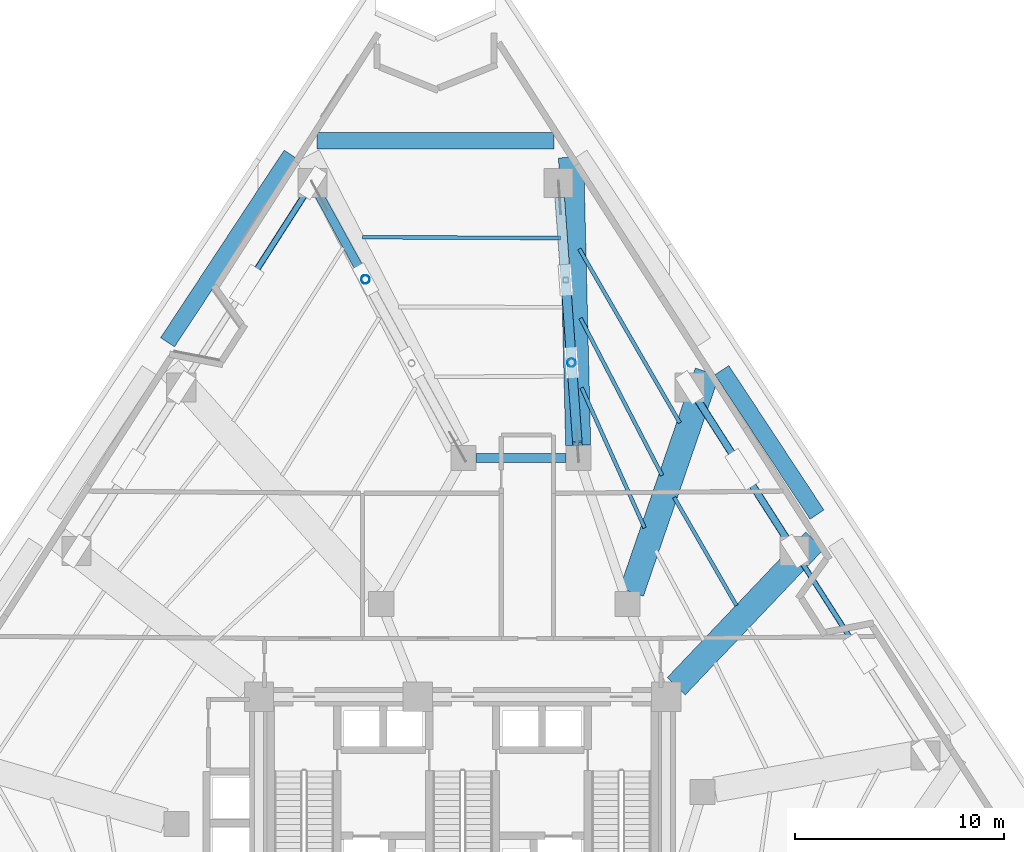
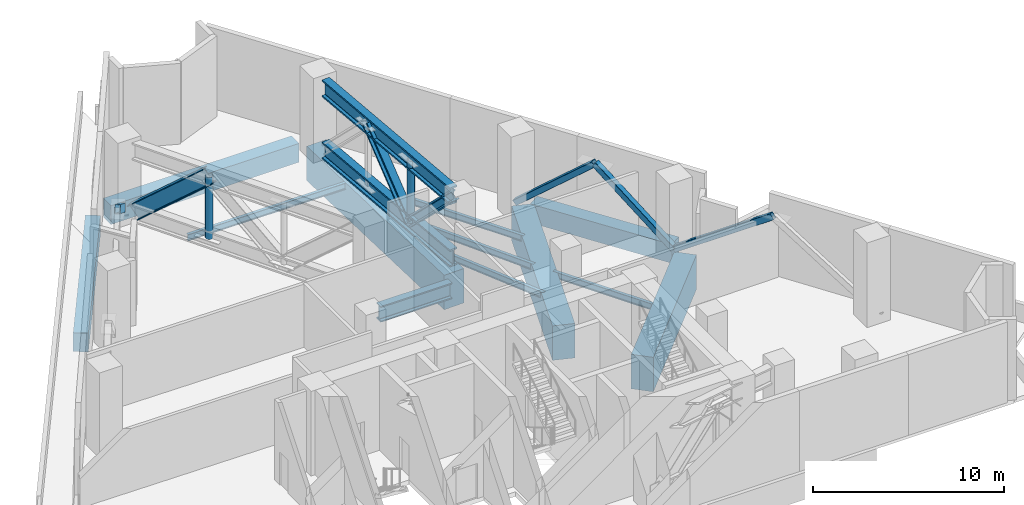
# One storey, part 5 of 12: 14 beams, 9 members.
"""IFC4 building model written with IfcOpenShell, lengths in metres."""

import ifcopenshell
import ifcopenshell.guid

model = None  # the IFC model being written
_history = None  # IfcOwnerHistory: only IFC2X3 demands one
_inside = {}  # id of a spatial element -> (the spatial element, [elements in it])
_under = {}  # id of a project, library or spatial element -> (it, [spatial elements below it])
_declared = {}  # id of a project -> (the project, [libraries it declares])
_typed = {}  # id of a type object -> (the type object, [elements of that type])
_made_of = {}  # id of a material, layer set ... -> (it, [elements and type objects made of it])


def new_model(schema):
    """Start an empty IFC model of exactly this schema.

    Asked for "IFC4X3", IfcOpenShell would pick the latest addendum, in which some entities
    have other attributes; the version numbers below select the first issue.
    IFC2X3 requires an IfcOwnerHistory on every rooted entity: one is made here for all.
    """
    global model, _history
    if schema == "IFC4X3":
        model = ifcopenshell.file(schema_version=(4, 3, 0, 0))
    else:
        model = ifcopenshell.file(schema=schema)
    _inside.clear()
    _under.clear()
    _declared.clear()
    _typed.clear()
    _made_of.clear()
    _history = None
    if model.schema == "IFC2X3":
        org = make("IfcOrganization", Name="unknown")
        user = make(
            "IfcPersonAndOrganization",
            ThePerson=make("IfcPerson", FamilyName="unknown"),
            TheOrganization=org,
        )
        app = make(
            "IfcApplication",
            ApplicationDeveloper=org,
            Version="unknown",
            ApplicationFullName="unknown",
            ApplicationIdentifier="unknown",
        )
        _history = make(
            "IfcOwnerHistory",
            OwningUser=user,
            OwningApplication=app,
            ChangeAction="ADDED",
            CreationDate=0,
        )
    return model


def make(cls, **values):
    """One entity of the class cls with the attributes given. An attribute that is None is left unset."""
    return model.create_entity(
        cls, **{name: value for name, value in values.items() if value is not None}
    )


def rooted(cls, **values):
    """An entity with a GlobalId (a new one), such as an element, a storey or a relation."""
    return make(cls, GlobalId=ifcopenshell.guid.new(), OwnerHistory=_history, **values)


def si_unit(unit_type, name, prefix=None):
    """IfcSIUnit, for example si_unit("LENGTHUNIT", "METRE", prefix="MILLI")."""
    return make("IfcSIUnit", UnitType=unit_type, Prefix=prefix, Name=name)


def assignment(units):
    """IfcUnitAssignment: the units of a project."""
    return None if units is None else make("IfcUnitAssignment", Units=units)


def point(xyz):
    """IfcCartesianPoint."""
    return None if xyz is None else make("IfcCartesianPoint", Coordinates=xyz)


def direction(xyz):
    """IfcDirection."""
    return None if xyz is None else make("IfcDirection", DirectionRatios=xyz)


def frame(location, z_axis=None, x_axis=None):
    """IfcAxis2Placement3D, a coordinate frame: its origin and axes. An axis left out is left unset."""
    return make(
        "IfcAxis2Placement3D",
        Location=point(location),
        Axis=direction(z_axis),
        RefDirection=direction(x_axis),
    )


def frame_2d(location, x_axis=None):
    """IfcAxis2Placement2D, a coordinate frame in the plane: its origin and x axis."""
    return make(
        "IfcAxis2Placement2D", Location=point(location), RefDirection=direction(x_axis)
    )


def origin():
    """The frame at (0, 0, 0) with its axes left unset."""
    return frame((0.0, 0.0, 0.0))


def origin_2d():
    """The frame at (0, 0) in the plane with its x axis left unset."""
    return frame_2d((0.0, 0.0))


def place(relative_to, where):
    """IfcLocalPlacement: puts the frame where relative to a parent placement (None: the world)."""
    return make(
        "IfcLocalPlacement", PlacementRelTo=relative_to, RelativePlacement=where
    )


def context(
    kind, dimensions, precision=None, world=None, true_north=None, identifier=None
):
    """IfcGeometricRepresentationContext, for example the 3D "Model" context."""
    return make(
        "IfcGeometricRepresentationContext",
        ContextIdentifier=identifier,
        ContextType=kind,
        CoordinateSpaceDimension=dimensions,
        Precision=precision,
        WorldCoordinateSystem=world,
        TrueNorth=true_north,
    )


def subcontext(parent, identifier, kind, view, scale=None):
    """IfcGeometricRepresentationSubContext, for example "Body" below "Model"."""
    return make(
        "IfcGeometricRepresentationSubContext",
        ContextIdentifier=identifier,
        ContextType=kind,
        ParentContext=parent,
        TargetScale=scale,
        TargetView=view,
    )


def project(units=None, contexts=None):
    """IfcProject with its units and contexts."""
    return rooted(
        "IfcProject",
        Name="project",
        RepresentationContexts=contexts,
        UnitsInContext=assignment(units),
    )


def spatial(cls, under=None, at=None, **own):
    """A site, building, storey or space (cls), placed at a placement, below another one or the project."""
    s = rooted(cls, ObjectPlacement=at, **own)
    if under is not None:
        _under.setdefault(under.id(), (under, []))[1].append(s)
    return s


def profile(cls, at=None, kind="AREA", **sizes):
    """A parametric profile (cls). Its sizes go by their IFC names, for example OverallWidth=200.0."""
    return make(cls, ProfileType=kind, Position=at, **sizes)


def rectangle(**sizes):
    """IfcRectangleProfileDef."""
    return profile("IfcRectangleProfileDef", **sizes)


def hollow_rectangle(**sizes):
    """IfcRectangleHollowProfileDef."""
    return profile("IfcRectangleHollowProfileDef", **sizes)


def hollow_circle(**sizes):
    """IfcCircleHollowProfileDef."""
    return profile("IfcCircleHollowProfileDef", **sizes)


def i_section(**sizes):
    """IfcIShapeProfileDef."""
    return profile("IfcIShapeProfileDef", **sizes)


def extrude(swept, where, along, depth):
    """IfcExtrudedAreaSolid: the profile swept, set in the frame where, extruded along a direction by depth."""
    return make(
        "IfcExtrudedAreaSolid",
        SweptArea=swept,
        Position=where,
        ExtrudedDirection=direction(along),
        Depth=depth,
    )


def shape(context_of_items, identifier, shape_type, items):
    """IfcShapeRepresentation: the items that make up one representation, for example the "Body"."""
    return make(
        "IfcShapeRepresentation",
        ContextOfItems=context_of_items,
        RepresentationIdentifier=identifier,
        RepresentationType=shape_type,
        Items=items,
    )


def material(Name=None, Category=None):
    """IfcMaterial."""
    return make("IfcMaterial", Name=Name, Category=Category)


def material_profile(
    of_material, cross_section, Name=None, Category=None, Priority=None
):
    """IfcMaterialProfile: a cross section and its material."""
    return make(
        "IfcMaterialProfile",
        Name=Name,
        Material=of_material,
        Profile=cross_section,
        Priority=Priority,
        Category=Category,
    )


def profile_set(profiles, Name=None, composite=None):
    """IfcMaterialProfileSet."""
    return make(
        "IfcMaterialProfileSet",
        Name=Name,
        MaterialProfiles=profiles,
        CompositeProfile=composite,
    )


def made_of(thing, what):
    """Note that an element or type object is made of a material, layer set ...; save() writes the relation."""
    if what is not None:
        _made_of.setdefault(what.id(), (what, []))[1].append(thing)
    return thing


def type_object(cls, material=None, **own):
    """A type object (cls), such as IfcWallType, which elements share."""
    return made_of(rooted(cls, **own), material)


def element(
    cls,
    number,
    at=None,
    inside=None,
    cuts=None,
    type_object=None,
    material=None,
    context=None,
    identifier="Body",
    shape_type=None,
    held_by="IfcProductDefinitionShape",
    body=None,
    shapes=None,
    **own,
):
    """One element of the class cls, such as IfcWall. Its Tag is "e" and its number.

    at: its placement. inside: the storey or other place that contains it. cuts: it is an
    opening in that element (IfcRelVoidsElement). A single representation is given by context,
    identifier, shape_type and body (its items); several are given by shapes. held_by: the class
    of the entity that holds the representations. save() writes the other relations.
    """
    e = rooted(cls, Tag="e%d" % number, ObjectPlacement=at, **own)
    if body is not None:
        shapes = [shape(context, identifier, shape_type, body)]
    if shapes is not None:
        e.Representation = make(held_by, Representations=shapes)
    if inside is not None:
        _inside.setdefault(inside.id(), (inside, []))[1].append(e)
    if cuts is not None:
        rooted(
            "IfcRelVoidsElement", RelatingBuildingElement=cuts, RelatedOpeningElement=e
        )
    if type_object is not None:
        _typed.setdefault(type_object.id(), (type_object, []))[1].append(e)
    return made_of(e, material)


def aggregate(whole, parts):
    """IfcRelAggregates: a whole, such as a stair, and the parts it consists of."""
    return rooted("IfcRelAggregates", RelatingObject=whole, RelatedObjects=parts)


def save(model, path):
    """Write the relations noted so far, then the file.

    IfcRelAggregates (storeys below a building ...), IfcRelContainedInSpatialStructure (elements
    in a storey), IfcRelDefinesByType, IfcRelAssociatesMaterial and IfcRelDeclares: one each for
    every whole, place, type object, material and project.
    """
    for whole, parts in _under.values():
        aggregate(whole, parts)
    for where, things in _inside.values():
        rooted(
            "IfcRelContainedInSpatialStructure",
            RelatedElements=things,
            RelatingStructure=where,
        )
    for kind, things in _typed.values():
        rooted("IfcRelDefinesByType", RelatedObjects=things, RelatingType=kind)
    for what, things in _made_of.values():
        rooted("IfcRelAssociatesMaterial", RelatedObjects=things, RelatingMaterial=what)
    for by, libraries in _declared.values():
        rooted("IfcRelDeclares", RelatingContext=by, RelatedDefinitions=libraries)
    model.write(path)


model = new_model("IFC4")

# Units and contexts
model_context = context("Model", 3, precision=1e-05, world=origin(), true_north=direction((0.0, 1.0)))
body_context = subcontext(model_context, "Body", "Model", "MODEL_VIEW")
ifc_project = project(units=[si_unit("LENGTHUNIT", "METRE"), si_unit("AREAUNIT", "SQUARE_METRE"), si_unit("VOLUMEUNIT", "CUBIC_METRE"), si_unit("PLANEANGLEUNIT", "RADIAN"), si_unit("MASSUNIT", "GRAM", prefix="KILO")], contexts=[model_context])

# Site, building, storey
site_placement = place(None, origin())
site = spatial("IfcSite", under=ifc_project, at=site_placement, CompositionType="ELEMENT")
building_placement = place(site_placement, origin())
building = spatial("IfcBuilding", under=site, at=building_placement, Name="Almagre Mirador Tower", CompositionType="ELEMENT")
storey_placement = place(building_placement, frame((0.0, 0.0, 26.39990234375)))
storey = spatial("IfcBuildingStorey", under=building, at=storey_placement, Name="L05", CompositionType="ELEMENT", Elevation=26.39990234375)

# Beams
ifc_material_1 = material(Name="Steel ASTM A992 Grade 50", Category="steel")
ifc_material_profile_1 = material_profile(ifc_material_1, i_section(OverallWidth=0.178955078125, OverallDepth=0.408935546875, WebThickness=0.0087890625, FlangeThickness=0.014404296875, FilletRadius=0.013916015625, at=origin_2d()), Name="W16X45")
ifc_profile_set_1 = profile_set([ifc_material_profile_1], Name="Steel ASTM A992 Grade 50")
beam_type_1 = type_object("IfcBeamType", Name="BM-JST-W16X45", PredefinedType="JOIST", material=ifc_profile_set_1)
beam_1_placement = place(storey_placement, frame((50.41748046875, 19.125244140625, -0.50439453125), z_axis=(-0.498936574753, 0.866638502707, 0.0), x_axis=(-0.866638502707, -0.498936574753, 0.0)))
element("IfcBeam", 1, at=beam_1_placement, inside=storey, type_object=beam_type_1, Name="L05 secondary floor joist PC06-PC07.2", PredefinedType="JOIST", context=body_context, shape_type="SweptSolid", body=[
    extrude(i_section(OverallWidth=0.178955078125, OverallDepth=0.408935546875, WebThickness=0.0087890625, FlangeThickness=0.014404296875, FilletRadius=0.013916015625, at=origin_2d()), origin(), (0.0, 0.0, 1.0), 5.98095703125),
])
beam_2_placement = place(storey_placement, frame((47.70361328125, 27.878662109375, -0.50439453125), z_axis=(-0.500181605907, 0.865920528174, 0.0), x_axis=(-0.865920528174, -0.500181605907, 0.0)))
element("IfcBeam", 2, at=beam_2_placement, inside=storey, type_object=beam_type_1, Name="L05 secondary floor joist PC07-PC08.1", PredefinedType="JOIST", context=body_context, shape_type="SweptSolid", body=[
    extrude(i_section(OverallWidth=0.178955078125, OverallDepth=0.408935546875, WebThickness=0.0087890625, FlangeThickness=0.014404296875, FilletRadius=0.013916015625, at=origin_2d()), origin(), (0.0, 0.0, 1.0), 9.619140625),
])
beam_3_placement = place(storey_placement, frame((46.857421875, 25.361083984375, -0.50439453125), z_axis=(-0.460878510835, 0.887463237689, 0.0), x_axis=(-0.887463237689, -0.460878510835, 0.0)))
element("IfcBeam", 3, at=beam_3_placement, inside=storey, type_object=beam_type_1, Name="L05 secondary floor joist PC07-PC08.2", PredefinedType="JOIST", context=body_context, shape_type="SweptSolid", body=[
    extrude(i_section(OverallWidth=0.178955078125, OverallDepth=0.408935546875, WebThickness=0.0087890625, FlangeThickness=0.014404296875, FilletRadius=0.013916015625, at=origin_2d()), origin(), (0.0, 0.0, 1.0), 8.478759765625),
])
beam_4_placement = place(storey_placement, frame((46.0185546875, 22.84521484375, -0.50439453125), z_axis=(-0.409897280394, 0.912131689794, 0.0), x_axis=(-0.912131689794, -0.409897280394, 0.0)))
element("IfcBeam", 4, at=beam_4_placement, inside=storey, type_object=beam_type_1, Name="L05 secondary floor joist PC07-PC08.3", PredefinedType="JOIST", context=body_context, shape_type="SweptSolid", body=[
    extrude(i_section(OverallWidth=0.178955078125, OverallDepth=0.408935546875, WebThickness=0.0087890625, FlangeThickness=0.014404296875, FilletRadius=0.013916015625, at=origin_2d()), origin(), (0.0, 0.0, 1.0), 7.363525390625),
])
beam_5_placement = place(storey_placement, frame((41.9921875, 36.72998046875, -0.50439453125), z_axis=(-0.999990993697, 0.004244116417, 0.0), x_axis=(-0.004244116417, -0.999990993697, 0.0)))
element("IfcBeam", 5, at=beam_5_placement, inside=storey, type_object=beam_type_1, Name="L05 secondary floor joist PC08-PC09.1", PredefinedType="JOIST", context=body_context, shape_type="SweptSolid", body=[
    extrude(i_section(OverallWidth=0.178955078125, OverallDepth=0.408935546875, WebThickness=0.0087890625, FlangeThickness=0.014404296875, FilletRadius=0.013916015625, at=origin_2d()), origin(), (0.0, 0.0, 1.0), 9.491455078125),
])
ifc_material_2 = material(Name="Precast concrete C50/60", Category="concrete")
ifc_material_profile_2 = material_profile(ifc_material_2, rectangle(XDim=0.800048828125, YDim=1.199951171875, at=origin_2d()), Name="RC800X1200")
ifc_profile_set_2 = profile_set([ifc_material_profile_2], Name="Precast concrete C50/60")
beam_type_2 = type_object("IfcBeamType", Name="BM-SPN-RC800X1200", PredefinedType="SPANDREL", material=ifc_profile_set_2)
beam_6_placement = place(storey_placement, frame((54.27783203125, 23.47998046875, -0.89990234375), z_axis=(-0.55020506323, 0.835029573366, 0.0), x_axis=(-0.835029573366, -0.55020506323, 0.0)))
element("IfcBeam", 6, at=beam_6_placement, inside=storey, type_object=beam_type_2, Name="L05 perimeter spandrel beam PC06-PC07", PredefinedType="SPANDREL", context=body_context, shape_type="SweptSolid", body=[
    extrude(rectangle(XDim=0.800048828125, YDim=1.199951171875, at=origin_2d()), origin(), (0.0, 0.0, 1.0), 8.287109375),
])
beam_7_placement = place(storey_placement, frame((41.677978515625, 41.387939453125, -0.89990234375), z_axis=(-1.0, 0.0, 0.0), x_axis=(0.0, -1.0, 0.0)))
element("IfcBeam", 7, at=beam_7_placement, inside=storey, type_object=beam_type_2, Name="L05 perimeter spandrel beam PC08-PC09", PredefinedType="SPANDREL", context=body_context, shape_type="SweptSolid", body=[
    extrude(rectangle(XDim=0.800048828125, YDim=1.199951171875, at=origin_2d()), origin(), (0.0, 0.0, 1.0), 11.35595703125),
])
beam_8_placement = place(storey_placement, frame((29.081787109375, 40.719970703125, -0.89990234375), z_axis=(-0.550214843465, -0.835023129039, 0.0), x_axis=(0.835023129039, -0.550214843465, 0.0)))
element("IfcBeam", 8, at=beam_8_placement, inside=storey, type_object=beam_type_2, Name="L05 perimeter spandrel beam PC09-PC10", PredefinedType="SPANDREL", context=body_context, shape_type="SweptSolid", body=[
    extrude(rectangle(XDim=0.800048828125, YDim=1.199951171875, at=origin_2d()), origin(), (0.0, 0.0, 1.0), 10.7587890625),
])
ifc_material_3 = material(Name="Steel ASTM A992 Grade 50", Category="steel")
ifc_material_profile_3 = material_profile(ifc_material_3, i_section(OverallWidth=0.43701171875, OverallDepth=1.010986328125, WebThickness=0.041015625, FlangeThickness=0.073974609375, FilletRadius=0.028076171875, at=origin_2d()), Name="W36X529")
ifc_profile_set_3 = profile_set([ifc_material_profile_3], Name="Steel ASTM A992 Grade 50")
beam_type_3 = type_object("IfcBeamType", Name="BM-STL-W36X529", PredefinedType="BEAM", material=ifc_profile_set_3)
beam_9_placement = place(storey_placement, frame((37.949951171875, 26.199951171875, -0.805419921875), z_axis=(1.0, 0.0, 0.0), x_axis=(0.0, 1.0, 0.0)))
element("IfcBeam", 9, at=beam_9_placement, inside=storey, type_object=beam_type_3, Name="L05 core tie girder MC7-MC6", PredefinedType="BEAM", context=body_context, shape_type="SweptSolid", body=[
    extrude(i_section(OverallWidth=0.43701171875, OverallDepth=1.010986328125, WebThickness=0.041015625, FlangeThickness=0.073974609375, FilletRadius=0.028076171875, at=origin_2d()), origin(), (0.0, 0.0, 1.0), 4.300048828125),
])
ifc_material_4 = material(Name="Steel ASTM A913 Grade 65", Category="steel")
ifc_material_profile_4 = material_profile(ifc_material_4, i_section(OverallWidth=0.45703125, OverallDepth=1.0869140625, WebThickness=0.060546875, FlangeThickness=0.093994140625, FilletRadius=0.028076171875, at=origin_2d()), Name="W36X800")
ifc_profile_set_4 = profile_set([ifc_material_profile_4], Name="Steel ASTM A913 Grade 65")
beam_type_4 = type_object("IfcBeamType", Name="BM-STL-W36X800", PredefinedType="BEAM", material=ifc_profile_set_4)
for number, where, z_axis, x_axis, name in (
    (10, (41.948486328125, 38.6748046875, 0.650146484375), (0.072089216544, -0.997398187715, 0.0), (0.997398187715, 0.072089216544, 0.0), "L05 outrigger truss 3 bottom chord"),
    (11, (41.948486328125, 38.6748046875, 4.606689453125), (0.072089216544, -0.997398187715, 0.0), (0.997398187715, 0.072089216544, 0.0), "L05 outrigger truss 3 top chord"),
):
    element("IfcBeam", number, at=place(storey_placement, frame(where, z_axis=z_axis, x_axis=x_axis)), inside=storey, type_object=beam_type_4, Name=name, PredefinedType="BEAM", context=body_context, shape_type="SweptSolid", body=[
        extrude(i_section(OverallWidth=0.45703125, OverallDepth=1.0869140625, WebThickness=0.060546875, FlangeThickness=0.093994140625, FilletRadius=0.028076171875, at=origin_2d()), origin(), (0.0, 0.0, 1.0), 11.907470703125),
    ])
ifc_material_5 = material(Name="Concrete C60/75", Category="concrete")
ifc_material_profile_5 = material_profile(ifc_material_5, rectangle(XDim=1.199951171875, YDim=2.199951171875, at=origin_2d()), Name="RC1200X2200")
ifc_profile_set_5 = profile_set([ifc_material_profile_5], Name="Concrete C60/75")
beam_type_5 = type_object("IfcBeamType", Name="BM-XFER-RC1200X2200", PredefinedType="BEAM", material=ifc_profile_set_5)
beam_10_placement = place(storey_placement, frame((54.166748046875, 22.232421875, -1.39990234375), z_axis=(-0.689169924888, -0.724599761683, 0.0), x_axis=(0.724599761683, -0.689169924888, 0.0)))
element("IfcBeam", 12, at=beam_10_placement, inside=storey, type_object=beam_type_5, Name="L05 radial transfer girder PC06-CC6", PredefinedType="BEAM", context=body_context, shape_type="SweptSolid", body=[
    extrude(rectangle(XDim=1.199951171875, YDim=2.199951171875, at=origin_2d()), origin(), (0.0, 0.0, 1.0), 9.62646484375),
])
beam_11_placement = place(storey_placement, frame((49.01806640625, 30.311279296875, -1.39990234375), z_axis=(-0.324964711331, -0.945726142384, 0.0), x_axis=(0.945726142384, -0.324964711331, 0.0)))
element("IfcBeam", 13, at=beam_11_placement, inside=storey, type_object=beam_type_5, Name="L05 radial transfer girder PC07-MC5", PredefinedType="BEAM", context=body_context, shape_type="SweptSolid", body=[
    extrude(rectangle(XDim=1.199951171875, YDim=2.199951171875, at=origin_2d()), origin(), (0.0, 0.0, 1.0), 11.14892578125),
])
beam_12_placement = place(storey_placement, frame((42.49755859375, 40.588134765625, -1.39990234375), z_axis=(0.024480505786, -0.99970030751, 0.0), x_axis=(0.99970030751, 0.024480505786, 0.0)))
element("IfcBeam", 14, at=beam_12_placement, inside=storey, type_object=beam_type_5, Name="L05 radial transfer girder PC08-MC6", PredefinedType="BEAM", context=body_context, shape_type="SweptSolid", body=[
    extrude(rectangle(XDim=1.199951171875, YDim=2.199951171875, at=origin_2d()), origin(), (0.0, 0.0, 1.0), 13.79248046875),
])

# Members
ifc_material_6 = material(Name="Steel ASTM A500 Grade C", Category="steel")
ifc_material_profile_6 = material_profile(ifc_material_6, hollow_rectangle(XDim=0.35009765625, YDim=0.35009765625, WallThickness=0.012451171875, InnerFilletRadius=0.012451171875, OuterFilletRadius=0.02490234375, at=origin_2d()), Name="HSS350X350X12.5")
ifc_profile_set_6 = profile_set([ifc_material_profile_6], Name="Steel ASTM A500 Grade C")
member_type_1 = type_object("IfcMemberType", Name="MBR-BRC-HSS350", PredefinedType="BRACE", material=ifc_profile_set_6)
for number, where, z_axis, x_axis, name in (
    (15, (53.201904296875, 21.73291015625, 0.650146484375), (-0.41112437121, 0.641600158278, 0.647553849726), (-0.841973199147, -0.539519352682, 0.0), "L05 perimeter belt truss brace PC06-apex"),
    (16, (48.177978515625, 29.572998046875, 0.650146484375), (0.411134911218, -0.641576648315, 0.647570451083), (0.841957934854, 0.539543173375, 0.0), "L05 perimeter belt truss brace PC07-apex"),
):
    element("IfcMember", number, at=place(storey_placement, frame(where, z_axis=z_axis, x_axis=x_axis)), inside=storey, type_object=member_type_1, Name=name, PredefinedType="BRACE", context=body_context, shape_type="SweptSolid", body=[
        extrude(hollow_rectangle(XDim=0.35009765625, YDim=0.35009765625, WallThickness=0.012451171875, InnerFilletRadius=0.012451171875, OuterFilletRadius=0.02490234375, at=origin_2d()), origin(), (0.0, 0.0, 1.0), 6.10986328125),
    ])
ifc_material_7 = material(Name="Steel ASTM A500 Grade C", Category="steel")
ifc_material_profile_7 = material_profile(ifc_material_7, hollow_rectangle(XDim=0.25, YDim=0.39990234375, WallThickness=0.012451171875, InnerFilletRadius=0.012451171875, OuterFilletRadius=0.02490234375, at=origin_2d()), Name="HSS400X250X12.5")
ifc_profile_set_7 = profile_set([ifc_material_profile_7], Name="Steel ASTM A500 Grade C")
member_type_2 = type_object("IfcMemberType", Name="MBR-BRC-HSS400R", PredefinedType="BRACE", material=ifc_profile_set_7)
member_1_placement = place(storey_placement, frame((53.201904296875, 21.73291015625, 0.650146484375), z_axis=(0.446212638225, -0.696274891088, 0.562223761085), x_axis=(0.841943641884, 0.539565476926, 0.0)))
element("IfcMember", 17, at=member_1_placement, inside=storey, type_object=member_type_2, Name="L05 perimeter belt truss brace PC06-apex", PredefinedType="BRACE", context=body_context, shape_type="SweptSolid", body=[
    extrude(hollow_rectangle(XDim=0.25, YDim=0.39990234375, WallThickness=0.012451171875, InnerFilletRadius=0.012451171875, OuterFilletRadius=0.02490234375, at=origin_2d()), origin(), (0.0, 0.0, 1.0), 7.037353515625),
])
ifc_material_8 = material(Name="Steel ASTM A500 Grade C", Category="steel")
ifc_material_profile_8 = material_profile(ifc_material_8, hollow_rectangle(XDim=0.300048828125, YDim=0.5, WallThickness=0.01611328125, InnerFilletRadius=0.01611328125, OuterFilletRadius=0.031982421875, at=origin_2d()), Name="HSS500X300X16")
ifc_profile_set_8 = profile_set([ifc_material_profile_8], Name="Steel ASTM A500 Grade C")
member_type_3 = type_object("IfcMemberType", Name="MBR-BRC-HSS500", PredefinedType="BRACE", material=ifc_profile_set_8)
member_2_placement = place(storey_placement, frame((30.10205078125, 39.373046875, 0.650146484375), z_axis=(-0.446201859906, -0.696292763969, 0.562210180503), x_axis=(0.841955854282, -0.539546420097, 0.0)))
element("IfcMember", 18, at=member_2_placement, inside=storey, type_object=member_type_3, Name="L05 perimeter belt truss brace PC09-apex", PredefinedType="BRACE", context=body_context, shape_type="SweptSolid", body=[
    extrude(hollow_rectangle(XDim=0.300048828125, YDim=0.5, WallThickness=0.01611328125, InnerFilletRadius=0.01611328125, OuterFilletRadius=0.031982421875, at=origin_2d()), origin(), (0.0, 0.0, 1.0), 7.03759765625),
])
ifc_material_9 = material(Name="Steel ASTM A913 Grade 65", Category="steel")
ifc_material_profile_9 = material_profile(ifc_material_9, i_section(OverallWidth=0.4541015625, OverallDepth=0.570068359375, WebThickness=0.077880859375, FlangeThickness=0.093994140625, FilletRadius=0.02001953125, at=origin_2d()), Name="W14X730")
ifc_profile_set_9 = profile_set([ifc_material_profile_9], Name="Steel ASTM A913 Grade 65")
member_type_4 = type_object("IfcMemberType", Name="MBR-BRC-W14X730", PredefinedType="BRACE", material=ifc_profile_set_9)
member_3_placement = place(storey_placement, frame((42.234619140625, 34.716064453125, 4.606689453125), z_axis=(0.051054736075, -0.706402389239, -0.705966768624), x_axis=(0.997398400807, 0.072086268238, 0.0)))
element("IfcMember", 19, at=member_3_placement, inside=storey, type_object=member_type_4, Name="L05 outrigger truss 3 diagonal 2", PredefinedType="BRACE", context=body_context, shape_type="SweptSolid", body=[
    extrude(i_section(OverallWidth=0.4541015625, OverallDepth=0.570068359375, WebThickness=0.077880859375, FlangeThickness=0.093994140625, FilletRadius=0.02001953125, at=origin_2d()), origin(), (0.0, 0.0, 1.0), 5.6044921875),
])
member_4_placement = place(storey_placement, frame((42.520751953125, 30.757080078125, 0.650146484375), z_axis=(0.051056307173, -0.706380563828, 0.70598849321), x_axis=(0.99739808116, 0.072090690788, 0.0)))
element("IfcMember", 20, at=member_4_placement, inside=storey, type_object=member_type_4, Name="L05 outrigger truss 3 diagonal 3", PredefinedType="BRACE", context=body_context, shape_type="SweptSolid", body=[
    extrude(i_section(OverallWidth=0.4541015625, OverallDepth=0.570068359375, WebThickness=0.077880859375, FlangeThickness=0.093994140625, FilletRadius=0.02001953125, at=origin_2d()), origin(), (0.0, 0.0, 1.0), 5.604248046875),
])
ifc_material_10 = material(Name="Steel ASTM A913 Grade 65", Category="steel")
ifc_material_profile_10 = material_profile(ifc_material_10, i_section(OverallWidth=0.423095703125, OverallDepth=0.947998046875, WebThickness=0.02392578125, FlangeThickness=0.042724609375, FilletRadius=0.028076171875, at=origin_2d()), Name="W36X302")
ifc_profile_set_10 = profile_set([ifc_material_profile_10], Name="Steel ASTM A913 Grade 65")
member_type_5 = type_object("IfcMemberType", Name="MBR-BRC-W36X302", PredefinedType="BRACE", material=ifc_profile_set_10)
member_5_placement = place(storey_placement, frame((30.439453125, 38.759765625, 0.650146484375), z_axis=(0.364725582304, -0.662921022437, 0.65384322863), x_axis=(0.876149476941, 0.482039515036, 0.0)))
element("IfcMember", 21, at=member_5_placement, inside=storey, type_object=member_type_5, Name="L05 outrigger truss 4 diagonal 1", PredefinedType="BRACE", context=body_context, shape_type="SweptSolid", body=[
    extrude(i_section(OverallWidth=0.423095703125, OverallDepth=0.947998046875, WebThickness=0.02392578125, FlangeThickness=0.042724609375, FilletRadius=0.028076171875, at=origin_2d()), origin(), (0.0, 0.0, 1.0), 6.05126953125),
])
ifc_material_11 = material(Name="Steel ASTM A500 Grade C", Category="steel")
ifc_material_profile_11 = material_profile(ifc_material_11, hollow_circle(Radius=0.203125, WallThickness=0.0126953125, at=origin_2d()), Name="CHS406.4X12.7")
ifc_profile_set_11 = profile_set([ifc_material_profile_11], Name="Steel ASTM A500 Grade C")
member_type_6 = type_object("IfcMemberType", Name="MBR-STR-CHS406", PredefinedType="STRUT", material=ifc_profile_set_11)
for number, where, z_axis, x_axis, name in (
    (22, (42.520751953125, 30.757080078125, 0.650146484375), (0.0, 0.0, 1.0), (1.0, 0.0, 0.0), "L05 outrigger vertical post strut 3.2"),
    (23, (32.646484375, 34.748291015625, 0.650146484375), (0.0, 0.0, 1.0), (1.0, 0.0, 0.0), "L05 outrigger vertical post strut 4.1"),
):
    element("IfcMember", number, at=place(storey_placement, frame(where, z_axis=z_axis, x_axis=x_axis)), inside=storey, type_object=member_type_6, Name=name, PredefinedType="STRUT", context=body_context, shape_type="SweptSolid", body=[
        extrude(hollow_circle(Radius=0.203125, WallThickness=0.0126953125, at=origin_2d()), origin(), (0.0, 0.0, 1.0), 3.95654296875),
    ])

save(model, "model.ifc")
